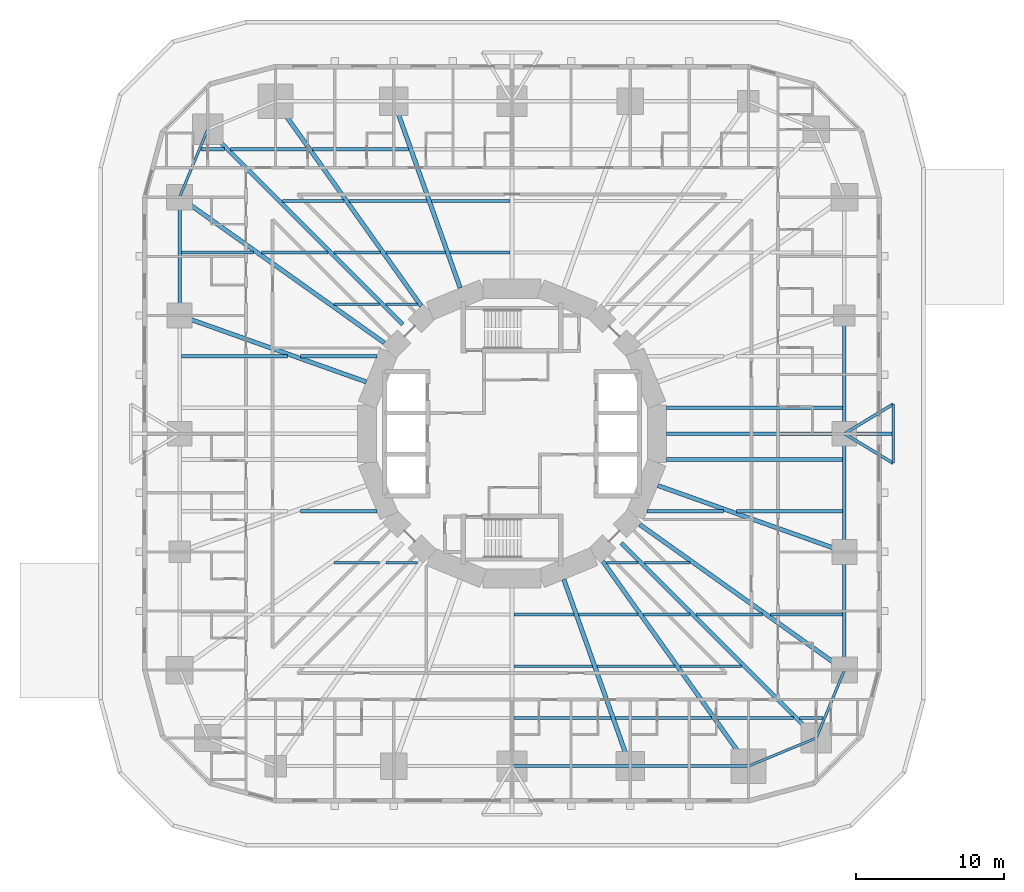
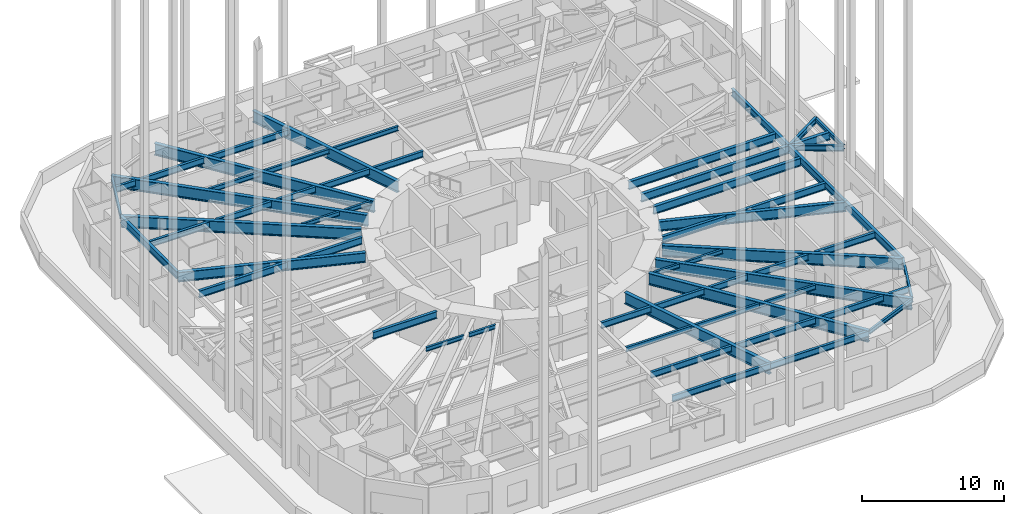
# One storey, part 2 of 13: 59 beams.
"""IFC4 building model written with IfcOpenShell, lengths in metres."""

from ifc_helpers import new_model, si_unit, direction, frame, origin, origin_2d, place, context, subcontext, project, spatial, i_section, extrude, material, material_profile, profile_set, type_object, element, save


model = new_model("IFC4")

# Units and contexts
model_context = context("Model", 3, precision=1e-05, world=origin(), true_north=direction((0.0, 1.0)))
body_context = subcontext(model_context, "Body", "Model", "MODEL_VIEW")
ifc_project = project(units=[si_unit("LENGTHUNIT", "METRE"), si_unit("AREAUNIT", "SQUARE_METRE"), si_unit("VOLUMEUNIT", "CUBIC_METRE"), si_unit("PLANEANGLEUNIT", "RADIAN"), si_unit("MASSUNIT", "GRAM", prefix="KILO")], contexts=[model_context])

# Site, building, storey
site_placement = place(None, origin())
site = spatial("IfcSite", under=ifc_project, at=site_placement, CompositionType="ELEMENT")
building_placement = place(site_placement, origin())
building = spatial("IfcBuilding", under=site, at=building_placement, Name="Nakasero Lantern House", CompositionType="ELEMENT")
storey_placement = place(building_placement, frame((0.0, 0.0, 16.0)))
storey = spatial("IfcBuildingStorey", under=building, at=storey_placement, Name="L03", CompositionType="ELEMENT", Elevation=16.0)

# Beams
ifc_material_1 = material(Name="Steel S355", Category="steel")
ifc_material_profile_1 = material_profile(ifc_material_1, i_section(OverallWidth=0.199462890625, OverallDepth=0.491943359375, WebThickness=0.01806640625, FlangeThickness=0.031982421875, FilletRadius=0.01025390625, at=origin_2d()), Name="UB 457x191x161")
ifc_profile_set_1 = profile_set([ifc_material_profile_1], Name="Steel S355")
beam_type_1 = type_object("IfcBeamType", Name="Balcony splay beam UB 457x191x161", PredefinedType="BEAM", material=ifc_profile_set_1)
for number, where, z_axis, x_axis, name in (
    (1, (22.5, 0.0, 3.404052734375), (0.855201230787, 0.518296107317, 0.0), (-0.518296107317, 0.855201230787, 0.0), "Balcony splay beam L04 B1-C03A"),
    (2, (22.5, 0.0, 3.404052734375), (0.855201230787, -0.518296107317, 0.0), (0.518296107317, 0.855201230787, 0.0), "Balcony splay beam L04 B1-C03B"),
):
    element("IfcBeam", number, at=place(storey_placement, frame(where, z_axis=z_axis, x_axis=x_axis)), inside=storey, type_object=beam_type_1, Name=name, PredefinedType="BEAM", context=body_context, shape_type="SweptSolid", body=[
        extrude(i_section(OverallWidth=0.199462890625, OverallDepth=0.491943359375, WebThickness=0.01806640625, FlangeThickness=0.031982421875, FilletRadius=0.01025390625, at=origin_2d()), origin(), (0.0, 0.0, 1.0), 3.85888671875),
    ])
ifc_material_2 = material(Name="Steel S355", Category="steel")
ifc_material_profile_2 = material_profile(ifc_material_2, i_section(OverallWidth=0.17138671875, OverallDepth=0.35498046875, WebThickness=0.00732421875, FlangeThickness=0.011474609375, FilletRadius=0.01025390625, at=origin_2d()), Name="UB 356x171x51")
ifc_profile_set_2 = profile_set([ifc_material_profile_2], Name="Steel S355")
beam_type_2 = type_object("IfcBeamType", Name="Balcony tie beam UB 356x171x51", PredefinedType="BEAM", material=ifc_profile_set_2)
beam_1_placement = place(storey_placement, frame((25.800048828125, 2.0, 3.472412109375), z_axis=(0.0, -1.0, 0.0), x_axis=(1.0, 0.0, 0.0)))
element("IfcBeam", 3, at=beam_1_placement, inside=storey, type_object=beam_type_2, Name="Balcony tie beam L04 B1-C03", PredefinedType="BEAM", context=body_context, shape_type="SweptSolid", body=[
    extrude(i_section(OverallWidth=0.17138671875, OverallDepth=0.35498046875, WebThickness=0.00732421875, FlangeThickness=0.011474609375, FilletRadius=0.01025390625, at=origin_2d()), origin(), (0.0, 0.0, 1.0), 4.0),
])
ifc_material_3 = material(Name="Steel S355", Category="steel")
ifc_material_profile_3 = material_profile(ifc_material_3, i_section(OverallWidth=0.17138671875, OverallDepth=0.35498046875, WebThickness=0.00732421875, FlangeThickness=0.011474609375, FilletRadius=0.01025390625, at=origin_2d()), Name="UB 356x171x51")
ifc_profile_set_3 = profile_set([ifc_material_profile_3], Name="Steel S355")
beam_type_3 = type_object("IfcBeamType", Name="Infill beam UB 356x171x51", PredefinedType="JOIST", material=ifc_profile_set_3)
beam_2_placement = place(storey_placement, frame((-12.0458984375, -8.75, 3.472412109375), z_axis=(1.0, 0.0, 0.0), x_axis=(0.0, 1.0, 0.0)))
element("IfcBeam", 4, at=beam_2_placement, inside=storey, type_object=beam_type_3, Name="Infill beam L04 05.1", PredefinedType="JOIST", context=body_context, shape_type="SweptSolid", body=[
    extrude(i_section(OverallWidth=0.17138671875, OverallDepth=0.35498046875, WebThickness=0.00732421875, FlangeThickness=0.011474609375, FilletRadius=0.01025390625, at=origin_2d()), origin(), (0.0, 0.0, 1.0), 3.083740234375),
])
for number, where, z_axis, x_axis, name in (
    (5, (-8.537841796875, -8.75, 3.472412109375), (1.0, 0.0, 0.0), (0.0, 1.0, 0.0), "Infill beam L04 05.2"),
    (6, (6.40625, -8.75, 3.472412109375), (1.0, 0.0, 0.0), (0.0, 1.0, 0.0), "Infill beam L04 05.3"),
):
    element("IfcBeam", number, at=place(storey_placement, frame(where, z_axis=z_axis, x_axis=x_axis)), inside=storey, type_object=beam_type_3, Name=name, PredefinedType="JOIST", context=body_context, shape_type="SweptSolid", body=[
        extrude(i_section(OverallWidth=0.17138671875, OverallDepth=0.35498046875, WebThickness=0.00732421875, FlangeThickness=0.011474609375, FilletRadius=0.01025390625, at=origin_2d()), origin(), (0.0, 0.0, 1.0), 2.131591796875),
    ])
for number, where, z_axis, x_axis, name in (
    (7, (8.962158203125, -8.75, 3.472412109375), (1.0, 0.0, 0.0), (0.0, 1.0, 0.0), "Infill beam L04 05.4"),
    (8, (-12.0458984375, 8.75, 3.472412109375), (1.0, 0.0, 0.0), (0.0, 1.0, 0.0), "Infill beam L04 10.1"),
):
    element("IfcBeam", number, at=place(storey_placement, frame(where, z_axis=z_axis, x_axis=x_axis)), inside=storey, type_object=beam_type_3, Name=name, PredefinedType="JOIST", context=body_context, shape_type="SweptSolid", body=[
        extrude(i_section(OverallWidth=0.17138671875, OverallDepth=0.35498046875, WebThickness=0.00732421875, FlangeThickness=0.011474609375, FilletRadius=0.01025390625, at=origin_2d()), origin(), (0.0, 0.0, 1.0), 3.083740234375),
    ])
beam_3_placement = place(storey_placement, frame((-8.537841796875, 8.75, 3.472412109375), z_axis=(1.0, 0.0, 0.0), x_axis=(0.0, 1.0, 0.0)))
element("IfcBeam", 9, at=beam_3_placement, inside=storey, type_object=beam_type_3, Name="Infill beam L04 10.2", PredefinedType="JOIST", context=body_context, shape_type="SweptSolid", body=[
    extrude(i_section(OverallWidth=0.17138671875, OverallDepth=0.35498046875, WebThickness=0.00732421875, FlangeThickness=0.011474609375, FilletRadius=0.01025390625, at=origin_2d()), origin(), (0.0, 0.0, 1.0), 2.131591796875),
])
ifc_material_4 = material(Name="Steel S355", Category="steel")
ifc_material_profile_4 = material_profile(ifc_material_4, i_section(OverallWidth=0.177978515625, OverallDepth=0.406494140625, WebThickness=0.0078125, FlangeThickness=0.0126953125, FilletRadius=0.01025390625, at=origin_2d()), Name="UB 406x178x60")
ifc_profile_set_4 = profile_set([ifc_material_profile_4], Name="Steel S355")
beam_type_4 = type_object("IfcBeamType", Name="Infill beam UB 406x178x60", PredefinedType="JOIST", material=ifc_profile_set_4)
beam_4_placement = place(storey_placement, frame((0.146240234375, -15.75, 3.44677734375), z_axis=(1.0, 0.0, 0.0), x_axis=(0.0, 1.0, 0.0)))
element("IfcBeam", 10, at=beam_4_placement, inside=storey, type_object=beam_type_4, Name="Infill beam L04 03.4", PredefinedType="JOIST", context=body_context, shape_type="SweptSolid", body=[
    extrude(i_section(OverallWidth=0.177978515625, OverallDepth=0.406494140625, WebThickness=0.0078125, FlangeThickness=0.0126953125, FilletRadius=0.01025390625, at=origin_2d()), origin(), (0.0, 0.0, 1.0), 5.294677734375),
])
beam_5_placement = place(storey_placement, frame((5.75927734375, -15.75, 3.44677734375), z_axis=(1.0, 0.0, 0.0), x_axis=(0.0, 1.0, 0.0)))
element("IfcBeam", 11, at=beam_5_placement, inside=storey, type_object=beam_type_4, Name="Infill beam L04 03.5", PredefinedType="JOIST", context=body_context, shape_type="SweptSolid", body=[
    extrude(i_section(OverallWidth=0.177978515625, OverallDepth=0.406494140625, WebThickness=0.0078125, FlangeThickness=0.0126953125, FilletRadius=0.01025390625, at=origin_2d()), origin(), (0.0, 0.0, 1.0), 5.256591796875),
])
for number, where, z_axis, x_axis, name in (
    (12, (11.384033203125, -15.75, 3.44677734375), (1.0, 0.0, 0.0), (0.0, 1.0, 0.0), "Infill beam L04 03.6"),
    (13, (-15.537841796875, 15.75, 3.44677734375), (1.0, 0.0, 0.0), (0.0, 1.0, 0.0), "Infill beam L04 12.1"),
):
    element("IfcBeam", number, at=place(storey_placement, frame(where, z_axis=z_axis, x_axis=x_axis)), inside=storey, type_object=beam_type_4, Name=name, PredefinedType="JOIST", context=body_context, shape_type="SweptSolid", body=[
        extrude(i_section(OverallWidth=0.177978515625, OverallDepth=0.406494140625, WebThickness=0.0078125, FlangeThickness=0.0126953125, FilletRadius=0.01025390625, at=origin_2d()), origin(), (0.0, 0.0, 1.0), 4.15380859375),
    ])
beam_6_placement = place(storey_placement, frame((-11.015869140625, 15.75, 3.44677734375), z_axis=(1.0, 0.0, 0.0), x_axis=(0.0, 1.0, 0.0)))
element("IfcBeam", 14, at=beam_6_placement, inside=storey, type_object=beam_type_4, Name="Infill beam L04 12.2", PredefinedType="JOIST", context=body_context, shape_type="SweptSolid", body=[
    extrude(i_section(OverallWidth=0.177978515625, OverallDepth=0.406494140625, WebThickness=0.0078125, FlangeThickness=0.0126953125, FilletRadius=0.01025390625, at=origin_2d()), origin(), (0.0, 0.0, 1.0), 5.256591796875),
])
beam_7_placement = place(storey_placement, frame((-5.44091796875, 15.75, 3.44677734375), z_axis=(1.0, 0.0, 0.0), x_axis=(0.0, 1.0, 0.0)))
element("IfcBeam", 15, at=beam_7_placement, inside=storey, type_object=beam_type_4, Name="Infill beam L04 12.3", PredefinedType="JOIST", context=body_context, shape_type="SweptSolid", body=[
    extrude(i_section(OverallWidth=0.177978515625, OverallDepth=0.406494140625, WebThickness=0.0078125, FlangeThickness=0.0126953125, FilletRadius=0.01025390625, at=origin_2d()), origin(), (0.0, 0.0, 1.0), 5.294677734375),
])
ifc_material_5 = material(Name="Steel S355", Category="steel")
ifc_material_profile_5 = material_profile(ifc_material_5, i_section(OverallWidth=0.208740234375, OverallDepth=0.5283203125, WebThickness=0.009521484375, FlangeThickness=0.01318359375, FilletRadius=0.0126953125, at=origin_2d()), Name="UB 533x210x82")
ifc_profile_set_5 = profile_set([ifc_material_profile_5], Name="Steel S355")
beam_type_5 = type_object("IfcBeamType", Name="Infill beam UB 533x210x82", PredefinedType="JOIST", material=ifc_profile_set_5)
beam_8_placement = place(storey_placement, frame((0.146240234375, -19.25, 3.3857421875), z_axis=(1.0, 0.0, 0.0), x_axis=(0.0, 1.0, 0.0)))
element("IfcBeam", 16, at=beam_8_placement, inside=storey, type_object=beam_type_5, Name="Infill beam L04 02.5", PredefinedType="JOIST", context=body_context, shape_type="SweptSolid", body=[
    extrude(i_section(OverallWidth=0.208740234375, OverallDepth=0.5283203125, WebThickness=0.009521484375, FlangeThickness=0.01318359375, FilletRadius=0.0126953125, at=origin_2d()), origin(), (0.0, 0.0, 1.0), 6.5390625),
])
beam_9_placement = place(storey_placement, frame((7.003662109375, -19.25, 3.3857421875), z_axis=(1.0, 0.0, 0.0), x_axis=(0.0, 1.0, 0.0)))
element("IfcBeam", 17, at=beam_9_placement, inside=storey, type_object=beam_type_5, Name="Infill beam L04 02.6", PredefinedType="JOIST", context=body_context, shape_type="SweptSolid", body=[
    extrude(i_section(OverallWidth=0.208740234375, OverallDepth=0.5283203125, WebThickness=0.009521484375, FlangeThickness=0.01318359375, FilletRadius=0.0126953125, at=origin_2d()), origin(), (0.0, 0.0, 1.0), 6.501220703125),
])
beam_10_placement = place(storey_placement, frame((13.873046875, -19.25, 3.3857421875), z_axis=(1.0, 0.0, 0.0), x_axis=(0.0, 1.0, 0.0)))
element("IfcBeam", 18, at=beam_10_placement, inside=storey, type_object=beam_type_5, Name="Infill beam L04 02.7", PredefinedType="JOIST", context=body_context, shape_type="SweptSolid", body=[
    extrude(i_section(OverallWidth=0.208740234375, OverallDepth=0.5283203125, WebThickness=0.009521484375, FlangeThickness=0.01318359375, FilletRadius=0.0126953125, at=origin_2d()), origin(), (0.0, 0.0, 1.0), 5.164794921875),
])
beam_11_placement = place(storey_placement, frame((19.462158203125, -19.25, 3.3857421875), z_axis=(1.0, 0.0, 0.0), x_axis=(0.0, 1.0, 0.0)))
element("IfcBeam", 19, at=beam_11_placement, inside=storey, type_object=beam_type_5, Name="Infill beam L04 02.8", PredefinedType="JOIST", context=body_context, shape_type="SweptSolid", body=[
    extrude(i_section(OverallWidth=0.208740234375, OverallDepth=0.5283203125, WebThickness=0.009521484375, FlangeThickness=0.01318359375, FilletRadius=0.0126953125, at=origin_2d()), origin(), (0.0, 0.0, 1.0), 1.598876953125),
])
beam_12_placement = place(storey_placement, frame((0.146240234375, -12.25, 3.3857421875), z_axis=(1.0, 0.0, 0.0), x_axis=(0.0, 1.0, 0.0)))
element("IfcBeam", 20, at=beam_12_placement, inside=storey, type_object=beam_type_5, Name="Infill beam L04 04.6", PredefinedType="JOIST", context=body_context, shape_type="SweptSolid", body=[
    extrude(i_section(OverallWidth=0.208740234375, OverallDepth=0.5283203125, WebThickness=0.009521484375, FlangeThickness=0.01318359375, FilletRadius=0.0126953125, at=origin_2d()), origin(), (0.0, 0.0, 1.0), 4.050048828125),
])
beam_13_placement = place(storey_placement, frame((4.5146484375, -12.25, 3.3857421875), z_axis=(1.0, 0.0, 0.0), x_axis=(0.0, 1.0, 0.0)))
element("IfcBeam", 21, at=beam_13_placement, inside=storey, type_object=beam_type_5, Name="Infill beam L04 04.7", PredefinedType="JOIST", context=body_context, shape_type="SweptSolid", body=[
    extrude(i_section(OverallWidth=0.208740234375, OverallDepth=0.5283203125, WebThickness=0.009521484375, FlangeThickness=0.01318359375, FilletRadius=0.0126953125, at=origin_2d()), origin(), (0.0, 0.0, 1.0), 4.012451171875),
])
beam_14_placement = place(storey_placement, frame((8.895263671875, -12.25, 3.3857421875), z_axis=(1.0, 0.0, 0.0), x_axis=(0.0, 1.0, 0.0)))
element("IfcBeam", 22, at=beam_14_placement, inside=storey, type_object=beam_type_5, Name="Infill beam L04 04.8", PredefinedType="JOIST", context=body_context, shape_type="SweptSolid", body=[
    extrude(i_section(OverallWidth=0.208740234375, OverallDepth=0.5283203125, WebThickness=0.009521484375, FlangeThickness=0.01318359375, FilletRadius=0.0126953125, at=origin_2d()), origin(), (0.0, 0.0, 1.0), 3.142578125),
])
beam_15_placement = place(storey_placement, frame((12.462158203125, -12.25, 3.3857421875), z_axis=(1.0, 0.0, 0.0), x_axis=(0.0, 1.0, 0.0)))
element("IfcBeam", 23, at=beam_15_placement, inside=storey, type_object=beam_type_5, Name="Infill beam L04 04.9", PredefinedType="JOIST", context=body_context, shape_type="SweptSolid", body=[
    extrude(i_section(OverallWidth=0.208740234375, OverallDepth=0.5283203125, WebThickness=0.009521484375, FlangeThickness=0.01318359375, FilletRadius=0.0126953125, at=origin_2d()), origin(), (0.0, 0.0, 1.0), 4.505615234375),
])
for number, where, z_axis, x_axis, name in (
    (24, (17.4853515625, -12.25, 3.3857421875), (1.0, 0.0, 0.0), (0.0, 1.0, 0.0), "Infill beam L04 04.10"),
    (25, (-22.385498046875, 12.25, 3.3857421875), (1.0, 0.0, 0.0), (0.0, 1.0, 0.0), "Infill beam L04 11.1"),
):
    element("IfcBeam", number, at=place(storey_placement, frame(where, z_axis=z_axis, x_axis=x_axis)), inside=storey, type_object=beam_type_5, Name=name, PredefinedType="JOIST", context=body_context, shape_type="SweptSolid", body=[
        extrude(i_section(OverallWidth=0.208740234375, OverallDepth=0.5283203125, WebThickness=0.009521484375, FlangeThickness=0.01318359375, FilletRadius=0.0126953125, at=origin_2d()), origin(), (0.0, 0.0, 1.0), 4.900146484375),
    ])
beam_16_placement = place(storey_placement, frame((-16.9677734375, 12.25, 3.3857421875), z_axis=(1.0, 0.0, 0.0), x_axis=(0.0, 1.0, 0.0)))
element("IfcBeam", 26, at=beam_16_placement, inside=storey, type_object=beam_type_5, Name="Infill beam L04 11.2", PredefinedType="JOIST", context=body_context, shape_type="SweptSolid", body=[
    extrude(i_section(OverallWidth=0.208740234375, OverallDepth=0.5283203125, WebThickness=0.009521484375, FlangeThickness=0.01318359375, FilletRadius=0.0126953125, at=origin_2d()), origin(), (0.0, 0.0, 1.0), 4.505615234375),
])
beam_17_placement = place(storey_placement, frame((-12.037841796875, 12.25, 3.3857421875), z_axis=(1.0, 0.0, 0.0), x_axis=(0.0, 1.0, 0.0)))
element("IfcBeam", 27, at=beam_17_placement, inside=storey, type_object=beam_type_5, Name="Infill beam L04 11.3", PredefinedType="JOIST", context=body_context, shape_type="SweptSolid", body=[
    extrude(i_section(OverallWidth=0.208740234375, OverallDepth=0.5283203125, WebThickness=0.009521484375, FlangeThickness=0.01318359375, FilletRadius=0.0126953125, at=origin_2d()), origin(), (0.0, 0.0, 1.0), 3.142578125),
])
beam_18_placement = place(storey_placement, frame((-8.527099609375, 12.25, 3.3857421875), z_axis=(1.0, 0.0, 0.0), x_axis=(0.0, 1.0, 0.0)))
element("IfcBeam", 28, at=beam_18_placement, inside=storey, type_object=beam_type_5, Name="Infill beam L04 11.4", PredefinedType="JOIST", context=body_context, shape_type="SweptSolid", body=[
    extrude(i_section(OverallWidth=0.208740234375, OverallDepth=0.5283203125, WebThickness=0.009521484375, FlangeThickness=0.01318359375, FilletRadius=0.0126953125, at=origin_2d()), origin(), (0.0, 0.0, 1.0), 4.012451171875),
])
beam_19_placement = place(storey_placement, frame((-4.1962890625, 12.25, 3.3857421875), z_axis=(1.0, 0.0, 0.0), x_axis=(0.0, 1.0, 0.0)))
element("IfcBeam", 29, at=beam_19_placement, inside=storey, type_object=beam_type_5, Name="Infill beam L04 11.5", PredefinedType="JOIST", context=body_context, shape_type="SweptSolid", body=[
    extrude(i_section(OverallWidth=0.208740234375, OverallDepth=0.5283203125, WebThickness=0.009521484375, FlangeThickness=0.01318359375, FilletRadius=0.0126953125, at=origin_2d()), origin(), (0.0, 0.0, 1.0), 4.050048828125),
])
beam_20_placement = place(storey_placement, frame((-21.06103515625, 19.25, 3.3857421875), z_axis=(1.0, 0.0, 0.0), x_axis=(0.0, 1.0, 0.0)))
element("IfcBeam", 30, at=beam_20_placement, inside=storey, type_object=beam_type_5, Name="Infill beam L04 13.1", PredefinedType="JOIST", context=body_context, shape_type="SweptSolid", body=[
    extrude(i_section(OverallWidth=0.208740234375, OverallDepth=0.5283203125, WebThickness=0.009521484375, FlangeThickness=0.01318359375, FilletRadius=0.0126953125, at=origin_2d()), origin(), (0.0, 0.0, 1.0), 1.598876953125),
])
beam_21_placement = place(storey_placement, frame((-19.037841796875, 19.25, 3.3857421875), z_axis=(1.0, 0.0, 0.0), x_axis=(0.0, 1.0, 0.0)))
element("IfcBeam", 31, at=beam_21_placement, inside=storey, type_object=beam_type_5, Name="Infill beam L04 13.2", PredefinedType="JOIST", context=body_context, shape_type="SweptSolid", body=[
    extrude(i_section(OverallWidth=0.208740234375, OverallDepth=0.5283203125, WebThickness=0.009521484375, FlangeThickness=0.01318359375, FilletRadius=0.0126953125, at=origin_2d()), origin(), (0.0, 0.0, 1.0), 5.164794921875),
])
beam_22_placement = place(storey_placement, frame((-13.5048828125, 19.25, 3.3857421875), z_axis=(1.0, 0.0, 0.0), x_axis=(0.0, 1.0, 0.0)))
element("IfcBeam", 32, at=beam_22_placement, inside=storey, type_object=beam_type_5, Name="Infill beam L04 13.3", PredefinedType="JOIST", context=body_context, shape_type="SweptSolid", body=[
    extrude(i_section(OverallWidth=0.208740234375, OverallDepth=0.5283203125, WebThickness=0.009521484375, FlangeThickness=0.01318359375, FilletRadius=0.0126953125, at=origin_2d()), origin(), (0.0, 0.0, 1.0), 6.501220703125),
])
ifc_material_6 = material(Name="Steel S355", Category="steel")
ifc_material_profile_6 = material_profile(ifc_material_6, i_section(OverallWidth=0.2275390625, OverallDepth=0.6025390625, WebThickness=0.010498046875, FlangeThickness=0.014892578125, FilletRadius=0.0126953125, at=origin_2d()), Name="UB 610x229x101")
ifc_profile_set_6 = profile_set([ifc_material_profile_6], Name="Steel S355")
beam_type_6 = type_object("IfcBeamType", Name="Infill beam UB 610x229x101", PredefinedType="JOIST", material=ifc_profile_set_6)
for number, where, z_axis, x_axis, name in (
    (33, (-14.3291015625, -5.25, 3.3486328125), (1.0, 0.0, 0.0), (0.0, 1.0, 0.0), "Infill beam L04 06.2"),
    (34, (9.144775390625, -5.25, 3.3486328125), (1.0, 0.0, 0.0), (0.0, 1.0, 0.0), "Infill beam L04 06.3"),
):
    element("IfcBeam", number, at=place(storey_placement, frame(where, z_axis=z_axis, x_axis=x_axis)), inside=storey, type_object=beam_type_6, Name=name, PredefinedType="JOIST", context=body_context, shape_type="SweptSolid", body=[
        extrude(i_section(OverallWidth=0.2275390625, OverallDepth=0.6025390625, WebThickness=0.010498046875, FlangeThickness=0.014892578125, FilletRadius=0.0126953125, at=origin_2d()), origin(), (0.0, 0.0, 1.0), 5.184326171875),
    ])
for number, where, z_axis, x_axis, name in (
    (35, (15.2021484375, -5.25, 3.3486328125), (1.0, 0.0, 0.0), (0.0, 1.0, 0.0), "Infill beam L04 06.4"),
    (36, (-22.385498046875, 5.25, 3.3486328125), (1.0, 0.0, 0.0), (0.0, 1.0, 0.0), "Infill beam L04 09.1"),
):
    element("IfcBeam", number, at=place(storey_placement, frame(where, z_axis=z_axis, x_axis=x_axis)), inside=storey, type_object=beam_type_6, Name=name, PredefinedType="JOIST", context=body_context, shape_type="SweptSolid", body=[
        extrude(i_section(OverallWidth=0.2275390625, OverallDepth=0.6025390625, WebThickness=0.010498046875, FlangeThickness=0.014892578125, FilletRadius=0.0126953125, at=origin_2d()), origin(), (0.0, 0.0, 1.0), 7.183349609375),
    ])
beam_23_placement = place(storey_placement, frame((-14.3291015625, 5.25, 3.3486328125), z_axis=(1.0, 0.0, 0.0), x_axis=(0.0, 1.0, 0.0)))
element("IfcBeam", 37, at=beam_23_placement, inside=storey, type_object=beam_type_6, Name="Infill beam L04 09.2", PredefinedType="JOIST", context=body_context, shape_type="SweptSolid", body=[
    extrude(i_section(OverallWidth=0.2275390625, OverallDepth=0.6025390625, WebThickness=0.010498046875, FlangeThickness=0.014892578125, FilletRadius=0.0126953125, at=origin_2d()), origin(), (0.0, 0.0, 1.0), 5.184326171875),
])
ifc_material_7 = material(Name="Steel S355", Category="steel")
ifc_material_profile_7 = material_profile(ifc_material_7, i_section(OverallWidth=0.253662109375, OverallDepth=0.68359375, WebThickness=0.012451171875, FlangeThickness=0.01904296875, FilletRadius=0.01513671875, at=origin_2d()), Name="UB 686x254x140")
ifc_profile_set_7 = profile_set([ifc_material_profile_7], Name="Steel S355")
beam_type_7 = type_object("IfcBeamType", Name="Infill beam UB 686x254x140", PredefinedType="JOIST", material=ifc_profile_set_7)
for number, where, z_axis, x_axis, name in (
    (38, (10.457763671875, -1.75, 3.308349609375), (1.0, 0.0, 0.0), (0.0, 1.0, 0.0), "Infill beam L04 07.2"),
    (39, (10.457763671875, 1.75, 3.308349609375), (1.0, 0.0, 0.0), (0.0, 1.0, 0.0), "Infill beam L04 08.2"),
):
    element("IfcBeam", number, at=place(storey_placement, frame(where, z_axis=z_axis, x_axis=x_axis)), inside=storey, type_object=beam_type_7, Name=name, PredefinedType="JOIST", context=body_context, shape_type="SweptSolid", body=[
        extrude(i_section(OverallWidth=0.253662109375, OverallDepth=0.68359375, WebThickness=0.012451171875, FlangeThickness=0.01904296875, FilletRadius=0.01513671875, at=origin_2d()), origin(), (0.0, 0.0, 1.0), 11.927734375),
    ])
ifc_material_8 = material(Name="Steel S355", Category="steel")
ifc_material_profile_8 = material_profile(ifc_material_8, i_section(OverallWidth=0.300048828125, OverallDepth=0.97021484375, WebThickness=0.01611328125, FlangeThickness=0.02099609375, FilletRadius=0.030029296875, at=origin_2d()), Name="UB 1016x305x222")
ifc_profile_set_8 = profile_set([ifc_material_profile_8], Name="Steel S355")
beam_type_8 = type_object("IfcBeamType", Name="Primary beam UB 1016x305x222, span 12 to 15 m", PredefinedType="BEAM", material=ifc_profile_set_8)
for number, where, z_axis, x_axis, name in (
    (40, (-8.0, 22.5, 3.164794921875), (0.335010745293, -0.942214307118, 0.0), (0.942214307118, 0.335010745293, 0.0), "Primary beam L04 B1-C10"),
    (41, (8.0, -22.5, 3.164794921875), (-0.335010745293, 0.942214307118, 0.0), (-0.942214307118, -0.335010745293, 0.0), "Primary beam L04 B1-C22"),
):
    element("IfcBeam", number, at=place(storey_placement, frame(where, z_axis=z_axis, x_axis=x_axis)), inside=storey, type_object=beam_type_8, Name=name, PredefinedType="BEAM", context=body_context, shape_type="SweptSolid", body=[
        extrude(i_section(OverallWidth=0.300048828125, OverallDepth=0.97021484375, WebThickness=0.01611328125, FlangeThickness=0.02099609375, FilletRadius=0.030029296875, at=origin_2d()), origin(), (0.0, 0.0, 1.0), 13.408447265625),
    ])
ifc_material_9 = material(Name="Steel S355", Category="steel")
ifc_material_profile_9 = material_profile(ifc_material_9, i_section(OverallWidth=0.300048828125, OverallDepth=0.989990234375, WebThickness=0.0166015625, FlangeThickness=0.031005859375, FilletRadius=0.030029296875, at=origin_2d()), Name="UB 1016x305x272")
ifc_profile_set_9 = profile_set([ifc_material_profile_9], Name="Steel S355")
beam_type_9 = type_object("IfcBeamType", Name="Primary beam UB 1016x305x272, span over 15 m", PredefinedType="BEAM", material=ifc_profile_set_9)
beam_24_placement = place(storey_placement, frame((22.5, -16.0, 3.155029296875), z_axis=(-0.814952159915, 0.579528236629, 0.0), x_axis=(-0.579528236629, -0.814952159915, 0.0)))
element("IfcBeam", 42, at=beam_24_placement, inside=storey, type_object=beam_type_9, Name="Primary beam L04 B1-C01", PredefinedType="BEAM", context=body_context, shape_type="SweptSolid", body=[
    extrude(i_section(OverallWidth=0.300048828125, OverallDepth=0.989990234375, WebThickness=0.0166015625, FlangeThickness=0.031005859375, FilletRadius=0.030029296875, at=origin_2d()), origin(), (0.0, 0.0, 1.0), 17.003173828125),
])
beam_25_placement = place(storey_placement, frame((-20.59619140625, 20.59619140625, 3.155029296875), z_axis=(0.707106781187, -0.707106781187, 0.0), x_axis=(0.707106781187, 0.707106781187, 0.0)))
element("IfcBeam", 43, at=beam_25_placement, inside=storey, type_object=beam_type_9, Name="Primary beam L04 B1-C12", PredefinedType="BEAM", context=body_context, shape_type="SweptSolid", body=[
    extrude(i_section(OverallWidth=0.300048828125, OverallDepth=0.989990234375, WebThickness=0.0166015625, FlangeThickness=0.031005859375, FilletRadius=0.030029296875, at=origin_2d()), origin(), (0.0, 0.0, 1.0), 18.669677734375),
])
beam_26_placement = place(storey_placement, frame((-22.5, 16.0, 3.155029296875), z_axis=(0.814952159915, -0.579528236629, 0.0), x_axis=(0.579528236629, 0.814952159915, 0.0)))
element("IfcBeam", 44, at=beam_26_placement, inside=storey, type_object=beam_type_9, Name="Primary beam L04 B1-C13", PredefinedType="BEAM", context=body_context, shape_type="SweptSolid", body=[
    extrude(i_section(OverallWidth=0.300048828125, OverallDepth=0.989990234375, WebThickness=0.0166015625, FlangeThickness=0.031005859375, FilletRadius=0.030029296875, at=origin_2d()), origin(), (0.0, 0.0, 1.0), 17.003173828125),
])
beam_27_placement = place(storey_placement, frame((20.59619140625, -20.59619140625, 3.155029296875), z_axis=(-0.707106781187, 0.707106781187, 0.0), x_axis=(-0.707106781187, -0.707106781187, 0.0)))
element("IfcBeam", 45, at=beam_27_placement, inside=storey, type_object=beam_type_9, Name="Primary beam L04 B1-C24", PredefinedType="BEAM", context=body_context, shape_type="SweptSolid", body=[
    extrude(i_section(OverallWidth=0.300048828125, OverallDepth=0.989990234375, WebThickness=0.0166015625, FlangeThickness=0.031005859375, FilletRadius=0.030029296875, at=origin_2d()), origin(), (0.0, 0.0, 1.0), 18.669677734375),
])
ifc_material_10 = material(Name="Steel S355", Category="steel")
ifc_material_profile_10 = material_profile(ifc_material_10, i_section(OverallWidth=0.300048828125, OverallDepth=1.0, WebThickness=0.01904296875, FlangeThickness=0.035888671875, FilletRadius=0.030029296875, at=origin_2d()), Name="UB 1016x305x314")
ifc_profile_set_10 = profile_set([ifc_material_profile_10], Name="Steel S355")
beam_type_10 = type_object("IfcBeamType", Name="Primary beam UB 1016x305x314, span over 15 m", PredefinedType="BEAM", material=ifc_profile_set_10)
for number, where, z_axis, x_axis, name in (
    (46, (-16.0, 22.5, 3.150146484375), (0.579528236629, -0.814952159915, 0.0), (0.814952159915, 0.579528236629, 0.0), "Primary beam L04 B1-C11"),
    (47, (16.0, -22.5, 3.150146484375), (-0.579528236629, 0.814952159915, 0.0), (-0.814952159915, -0.579528236629, 0.0), "Primary beam L04 B1-C23"),
):
    element("IfcBeam", number, at=place(storey_placement, frame(where, z_axis=z_axis, x_axis=x_axis)), inside=storey, type_object=beam_type_10, Name=name, PredefinedType="BEAM", context=body_context, shape_type="SweptSolid", body=[
        extrude(i_section(OverallWidth=0.300048828125, OverallDepth=1.0, WebThickness=0.01904296875, FlangeThickness=0.035888671875, FilletRadius=0.030029296875, at=origin_2d()), origin(), (0.0, 0.0, 1.0), 17.003173828125),
    ])
ifc_material_11 = material(Name="Steel S355", Category="steel")
ifc_material_profile_11 = material_profile(ifc_material_11, i_section(OverallWidth=0.255859375, OverallDepth=0.69287109375, WebThickness=0.014404296875, FlangeThickness=0.023681640625, FilletRadius=0.01513671875, at=origin_2d()), Name="UB 686x254x170")
ifc_profile_set_11 = profile_set([ifc_material_profile_11], Name="Steel S355")
beam_type_11 = type_object("IfcBeamType", Name="Primary beam UB 686x254x170, span 12 to 15 m", PredefinedType="BEAM", material=ifc_profile_set_11)
beam_28_placement = place(storey_placement, frame((25.800048828125, 0.0, 3.303466796875), z_axis=(-1.0, 0.0, 0.0), x_axis=(0.0, -1.0, 0.0)))
element("IfcBeam", 48, at=beam_28_placement, inside=storey, type_object=beam_type_11, Name="Primary beam L04 B1-C03", PredefinedType="BEAM", context=body_context, shape_type="SweptSolid", body=[
    extrude(i_section(OverallWidth=0.255859375, OverallDepth=0.69287109375, WebThickness=0.014404296875, FlangeThickness=0.023681640625, FilletRadius=0.01513671875, at=origin_2d()), origin(), (0.0, 0.0, 1.0), 15.34228515625),
])
ifc_material_12 = material(Name="Steel S355", Category="steel")
ifc_material_profile_12 = material_profile(ifc_material_12, i_section(OverallWidth=0.29248046875, OverallDepth=0.8408203125, WebThickness=0.0146484375, FlangeThickness=0.02685546875, FilletRadius=0.017822265625, at=origin_2d()), Name="UB 838x292x194")
ifc_profile_set_12 = profile_set([ifc_material_profile_12], Name="Steel S355")
beam_type_12 = type_object("IfcBeamType", Name="Primary beam UB 838x292x194, span 12 to 15 m", PredefinedType="BEAM", material=ifc_profile_set_12)
for number, where, z_axis, x_axis, name in (
    (49, (22.5, -8.0, 3.229736328125), (-0.942214307118, 0.335010745293, 0.0), (-0.335010745293, -0.942214307118, 0.0), "Primary beam L04 B1-C02"),
    (50, (-22.5, 8.0, 3.229736328125), (0.942214307118, -0.335010745293, 0.0), (0.335010745293, 0.942214307118, 0.0), "Primary beam L04 B1-C14"),
):
    element("IfcBeam", number, at=place(storey_placement, frame(where, z_axis=z_axis, x_axis=x_axis)), inside=storey, type_object=beam_type_12, Name=name, PredefinedType="BEAM", context=body_context, shape_type="SweptSolid", body=[
        extrude(i_section(OverallWidth=0.29248046875, OverallDepth=0.8408203125, WebThickness=0.0146484375, FlangeThickness=0.02685546875, FilletRadius=0.017822265625, at=origin_2d()), origin(), (0.0, 0.0, 1.0), 13.408447265625),
    ])
ifc_material_13 = material(Name="Steel S355", Category="steel")
ifc_material_profile_13 = material_profile(ifc_material_13, i_section(OverallWidth=0.17138671875, OverallDepth=0.35498046875, WebThickness=0.00732421875, FlangeThickness=0.011474609375, FilletRadius=0.01025390625, at=origin_2d()), Name="UB 356x171x51")
ifc_profile_set_13 = profile_set([ifc_material_profile_13], Name="Steel S355")
beam_type_13 = type_object("IfcBeamType", Name="Ring beam UB 356x171x51", PredefinedType="BEAM", material=ifc_profile_set_13)
for number, where, z_axis, x_axis, name in (
    (51, (-20.59619140625, 20.59619140625, 3.472412109375), (-0.382684080569, -0.923879264016, 0.0), (0.923879264016, -0.382684080569, 0.0), "Ring beam L04 B1-C12"),
    (52, (16.0, -22.5, 3.472412109375), (0.923879264016, 0.382684080569, 0.0), (-0.382684080569, 0.923879264016, 0.0), "Ring beam L04 B1-C23"),
    (53, (20.59619140625, -20.59619140625, 3.472412109375), (0.382684080569, 0.923879264016, 0.0), (-0.923879264016, 0.382684080569, 0.0), "Ring beam L04 B1-C24"),
):
    element("IfcBeam", number, at=place(storey_placement, frame(where, z_axis=z_axis, x_axis=x_axis)), inside=storey, type_object=beam_type_13, Name=name, PredefinedType="BEAM", context=body_context, shape_type="SweptSolid", body=[
        extrude(i_section(OverallWidth=0.17138671875, OverallDepth=0.35498046875, WebThickness=0.00732421875, FlangeThickness=0.011474609375, FilletRadius=0.01025390625, at=origin_2d()), origin(), (0.0, 0.0, 1.0), 4.974853515625),
    ])
ifc_material_14 = material(Name="Steel S355", Category="steel")
ifc_material_profile_14 = material_profile(ifc_material_14, i_section(OverallWidth=0.2099609375, OverallDepth=0.53662109375, WebThickness=0.0107421875, FlangeThickness=0.017333984375, FilletRadius=0.0126953125, at=origin_2d()), Name="UB 533x210x101")
ifc_profile_set_14 = profile_set([ifc_material_profile_14], Name="Steel S355")
beam_type_14 = type_object("IfcBeamType", Name="Ring beam UB 533x210x101", PredefinedType="BEAM", material=ifc_profile_set_14)
for number, where, z_axis, x_axis, name in (
    (54, (0.0, -22.5, 3.381591796875), (1.0, 0.0, 0.0), (0.0, 1.0, 0.0), "Ring beam L04 B1-C21"),
    (55, (8.0, -22.5, 3.381591796875), (1.0, 0.0, 0.0), (0.0, 1.0, 0.0), "Ring beam L04 B1-C22"),
):
    element("IfcBeam", number, at=place(storey_placement, frame(where, z_axis=z_axis, x_axis=x_axis)), inside=storey, type_object=beam_type_14, Name=name, PredefinedType="BEAM", context=body_context, shape_type="SweptSolid", body=[
        extrude(i_section(OverallWidth=0.2099609375, OverallDepth=0.53662109375, WebThickness=0.0107421875, FlangeThickness=0.017333984375, FilletRadius=0.0126953125, at=origin_2d()), origin(), (0.0, 0.0, 1.0), 8.0),
    ])
ifc_material_15 = material(Name="Steel S355", Category="steel")
ifc_material_profile_15 = material_profile(ifc_material_15, i_section(OverallWidth=0.22900390625, OverallDepth=0.6123046875, WebThickness=0.011962890625, FlangeThickness=0.01953125, FilletRadius=0.0126953125, at=origin_2d()), Name="UB 610x229x125")
ifc_profile_set_15 = profile_set([ifc_material_profile_15], Name="Steel S355")
beam_type_15 = type_object("IfcBeamType", Name="Ring beam UB 610x229x125", PredefinedType="BEAM", material=ifc_profile_set_15)
for number, where, z_axis, x_axis, name in (
    (56, (22.5, -16.0, 3.343994140625), (0.0, 1.0, 0.0), (-1.0, 0.0, 0.0), "Ring beam L04 B1-C01"),
    (57, (22.5, -8.0, 3.343994140625), (0.0, 1.0, 0.0), (-1.0, 0.0, 0.0), "Ring beam L04 B1-C02"),
    (58, (22.5, 0.0, 3.343994140625), (0.0, 1.0, 0.0), (-1.0, 0.0, 0.0), "Ring beam L04 B1-C03"),
    (59, (-22.5, 16.0, 3.343994140625), (0.0, -1.0, 0.0), (1.0, 0.0, 0.0), "Ring beam L04 B1-C13"),
):
    element("IfcBeam", number, at=place(storey_placement, frame(where, z_axis=z_axis, x_axis=x_axis)), inside=storey, type_object=beam_type_15, Name=name, PredefinedType="BEAM", context=body_context, shape_type="SweptSolid", body=[
        extrude(i_section(OverallWidth=0.22900390625, OverallDepth=0.6123046875, WebThickness=0.011962890625, FlangeThickness=0.01953125, FilletRadius=0.0126953125, at=origin_2d()), origin(), (0.0, 0.0, 1.0), 8.0),
    ])

save(model, "model.ifc")
